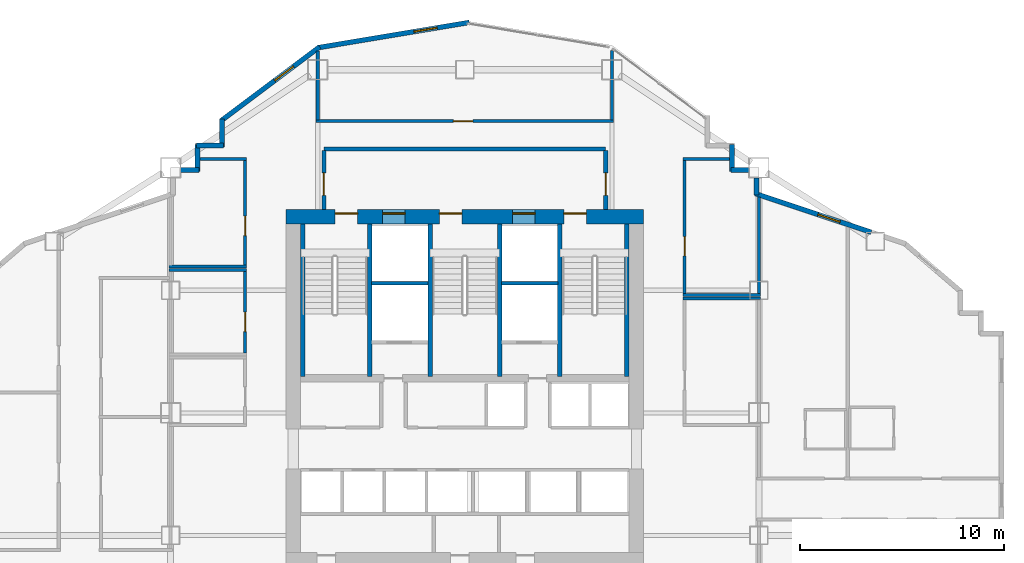
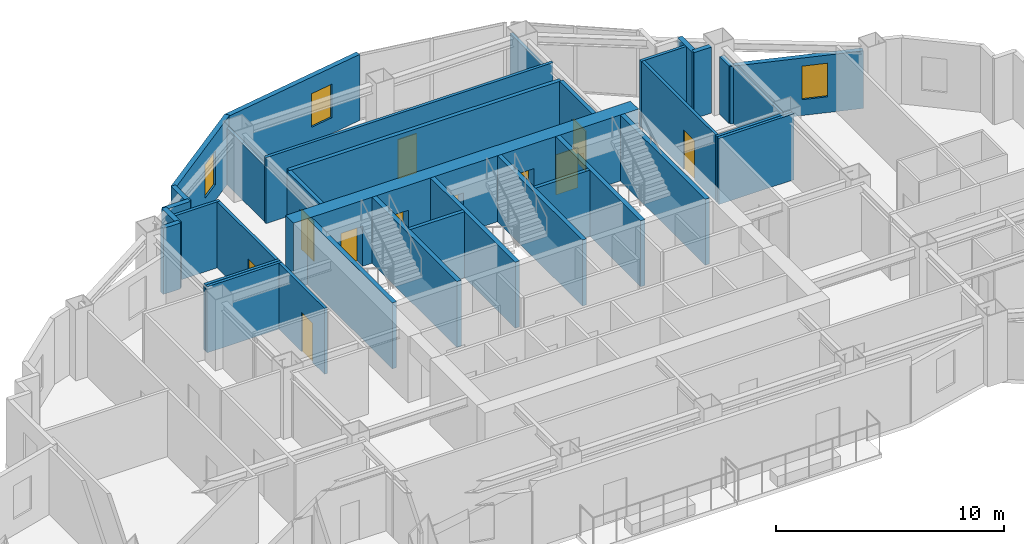
# One storey, part 11 of 14: 35 walls, 11 doors, 3 windows, 14 openings.
"""IFC4 building model written with IfcOpenShell, lengths in metres."""

from ifc_helpers import new_model, si_unit, direction, frame, frame_2d, origin, place, context, subcontext, project, spatial, rectangle, extrude, material, layer, layer_set, type_object, element, fill, save


model = new_model("IFC4")

# Units and contexts
model_context = context("Model", 3, precision=1e-05, world=origin(), true_north=direction((0.0, 1.0)))
body_context = subcontext(model_context, "Body", "Model", "MODEL_VIEW")
ifc_project = project(units=[si_unit("LENGTHUNIT", "METRE"), si_unit("AREAUNIT", "SQUARE_METRE"), si_unit("VOLUMEUNIT", "CUBIC_METRE"), si_unit("PLANEANGLEUNIT", "RADIAN"), si_unit("MASSUNIT", "GRAM", prefix="KILO")], contexts=[model_context])

# Site, building, storey
site_placement = place(None, origin())
site = spatial("IfcSite", under=ifc_project, at=site_placement, CompositionType="ELEMENT")
building_placement = place(site_placement, origin())
building = spatial("IfcBuilding", under=site, at=building_placement, Name="Haolan Belvedere Tower", CompositionType="ELEMENT")
storey_placement = place(building_placement, frame((0.0, 0.0, 132.60009765625)))
storey = spatial("IfcBuildingStorey", under=building, at=storey_placement, Name="L33", CompositionType="ELEMENT", Elevation=132.60009765625)

# Wall, openings, doors
ifc_material_1 = material(Name="Concrete C60/75", Category="concrete")
ifc_layer_1 = layer(ifc_material_1, 0.699951171875, Name="Concrete C60/75")
ifc_layer_set_1 = layer_set([ifc_layer_1], Name="Concrete C60/75")
wall_type_1 = type_object("IfcWallType", Name="WL-CORE-700", PredefinedType="SHEAR", material=ifc_layer_set_1)
wall_1_placement = place(storey_placement, frame((29.64990234375, 43.199951171875, 0.0), z_axis=(0.0, 0.0, 1.0), x_axis=(1.0, 0.0, 0.0)))
wall_1 = element("IfcWall", 1, at=wall_1_placement, inside=storey, type_object=wall_type_1, Name="L33 central core north shear wall", PredefinedType="SHEAR", context=body_context, shape_type="SweptSolid", body=[
    extrude(rectangle(XDim=17.5, YDim=0.699951171875, at=frame_2d((8.75, 0.0))), origin(), (0.0, 0.0, 1.0), 3.539794921875),
])
opening_1_placement = place(wall_1_placement, frame((2.39990234375, 0.0, 0.0)))
opening_1 = element("IfcOpeningElement", 2, at=opening_1_placement, cuts=wall_1, Name="Opening FD-03", PredefinedType="OPENING", context=body_context, shape_type="SweptSolid", body=[
    extrude(rectangle(XDim=1.10009765625, YDim=2.14990234375, at=frame_2d((0.550048828125, 1.074951171875))), frame((0.0, 0.35986328125, 0.0), z_axis=(0.0, -1.0, 0.0), x_axis=(1.0, 0.0, 0.0)), (0.0, 0.0, 1.0), 0.719970703125),
])
opening_2_placement = place(wall_1_placement, frame((7.510009765625, 0.0, 0.0)))
opening_2 = element("IfcOpeningElement", 3, at=opening_2_placement, cuts=wall_1, Name="Opening FD-03", PredefinedType="OPENING", context=body_context, shape_type="SweptSolid", body=[
    extrude(rectangle(XDim=1.10009765625, YDim=2.14990234375, at=frame_2d((0.550048828125, 1.074951171875))), frame((0.0, 0.35986328125, 0.0), z_axis=(0.0, -1.0, 0.0), x_axis=(1.0, 0.0, 0.0)), (0.0, 0.0, 1.0), 0.719970703125),
])
opening_3_placement = place(wall_1_placement, frame((13.60009765625, 0.0, 0.0)))
opening_3 = element("IfcOpeningElement", 4, at=opening_3_placement, cuts=wall_1, Name="Opening FD-03", PredefinedType="OPENING", context=body_context, shape_type="SweptSolid", body=[
    extrude(rectangle(XDim=1.10009765625, YDim=2.14990234375, at=frame_2d((0.550048828125, 1.074951171875))), frame((0.0, 0.35986328125, 0.0), z_axis=(0.0, -1.0, 0.0), x_axis=(1.0, 0.0, 0.0)), (0.0, 0.0, 1.0), 0.719970703125),
])
opening_4_placement = place(wall_1_placement, frame((4.72998046875, 0.0, 0.0)))
opening_4 = element("IfcOpeningElement", 5, at=opening_4_placement, cuts=wall_1, Name="Opening LD-01", PredefinedType="OPENING", context=body_context, shape_type="SweptSolid", body=[
    extrude(rectangle(XDim=1.10009765625, YDim=2.199951171875, at=frame_2d((0.550048828125, 1.10009765625))), frame((0.0, 0.35986328125, 0.0), z_axis=(0.0, -1.0, 0.0), x_axis=(1.0, 0.0, 0.0)), (0.0, 0.0, 1.0), 0.719970703125),
])
opening_5_placement = place(wall_1_placement, frame((11.090087890625, 0.0, 0.0)))
opening_5 = element("IfcOpeningElement", 6, at=opening_5_placement, cuts=wall_1, Name="Opening LD-01", PredefinedType="OPENING", context=body_context, shape_type="SweptSolid", body=[
    extrude(rectangle(XDim=1.10009765625, YDim=2.199951171875, at=frame_2d((0.550048828125, 1.10009765625))), frame((0.0, 0.35986328125, 0.0), z_axis=(0.0, -1.0, 0.0), x_axis=(1.0, 0.0, 0.0)), (0.0, 0.0, 1.0), 0.719970703125),
])
ifc_material_2 = material(Name="Galvanised fire-rated steel", Category="steel")
door_type_1 = type_object("IfcDoorType", Name="DR-FD90-1100", OperationType="NOTDEFINED", PredefinedType="DOOR", material=ifc_material_2)
door_1_placement = place(opening_1_placement, origin())
door_1 = element("IfcDoor", 7, at=door_1_placement, inside=storey, type_object=door_type_1, Name="L33 door CD-L33-ST1", OperationType="SINGLE_SWING_LEFT", OverallHeight=2.14990234375, OverallWidth=1.10009765625, PredefinedType="DOOR", context=body_context, shape_type="SweptSolid", body=[
    extrude(rectangle(XDim=1.10009765625, YDim=2.14990234375, at=frame_2d((0.550048828125, 1.074951171875))), frame((0.0, 0.18505859375, 0.0), z_axis=(0.0, -1.0, 0.0), x_axis=(1.0, 0.0, 0.0)), (0.0, 0.0, 1.0), 0.050048828125),
])
fill(opening_1, door_1)
door_2_placement = place(opening_2_placement, origin())
door_2 = element("IfcDoor", 8, at=door_2_placement, inside=storey, type_object=door_type_1, Name="L33 door CD-L33-ST3", OperationType="SINGLE_SWING_LEFT", OverallHeight=2.14990234375, OverallWidth=1.10009765625, PredefinedType="DOOR", context=body_context, shape_type="SweptSolid", body=[
    extrude(rectangle(XDim=1.10009765625, YDim=2.14990234375, at=frame_2d((0.550048828125, 1.074951171875))), frame((0.0, 0.18505859375, 0.0), z_axis=(0.0, -1.0, 0.0), x_axis=(1.0, 0.0, 0.0)), (0.0, 0.0, 1.0), 0.050048828125),
])
fill(opening_2, door_2)
door_3_placement = place(opening_3_placement, origin())
door_3 = element("IfcDoor", 9, at=door_3_placement, inside=storey, type_object=door_type_1, Name="L33 door CD-L33-ST2", OperationType="SINGLE_SWING_RIGHT", OverallHeight=2.14990234375, OverallWidth=1.10009765625, PredefinedType="DOOR", context=body_context, shape_type="SweptSolid", body=[
    extrude(rectangle(XDim=1.10009765625, YDim=2.14990234375, at=frame_2d((0.550048828125, 1.074951171875))), frame((0.0, 0.18505859375, 0.0), z_axis=(0.0, -1.0, 0.0), x_axis=(1.0, 0.0, 0.0)), (0.0, 0.0, 1.0), 0.050048828125),
])
fill(opening_3, door_3)
ifc_material_3 = material(Name="Brushed champagne stainless steel 316L", Category="steel")
door_type_2 = type_object("IfcDoorType", Name="DR-LIFT-1100", OperationType="SLIDING_TO_LEFT", PredefinedType="DOOR", material=ifc_material_3)
door_4_placement = place(opening_4_placement, origin())
door_4 = element("IfcDoor", 10, at=door_4_placement, inside=storey, type_object=door_type_2, Name="L33 door LD-L33-FF1", OperationType="SLIDING_TO_LEFT", OverallHeight=2.199951171875, OverallWidth=1.10009765625, PredefinedType="DOOR", context=body_context, shape_type="SweptSolid", body=[
    extrude(rectangle(XDim=1.10009765625, YDim=2.199951171875, at=frame_2d((0.550048828125, 1.10009765625))), frame((0.0, 0.18505859375, 0.0), z_axis=(0.0, -1.0, 0.0), x_axis=(1.0, 0.0, 0.0)), (0.0, 0.0, 1.0), 0.050048828125),
])
fill(opening_4, door_4)
door_5_placement = place(opening_5_placement, origin())
door_5 = element("IfcDoor", 11, at=door_5_placement, inside=storey, type_object=door_type_2, Name="L33 door LD-L33-FF2", OperationType="SLIDING_TO_LEFT", OverallHeight=2.199951171875, OverallWidth=1.10009765625, PredefinedType="DOOR", context=body_context, shape_type="SweptSolid", body=[
    extrude(rectangle(XDim=1.10009765625, YDim=2.199951171875, at=frame_2d((0.550048828125, 1.10009765625))), frame((0.0, 0.18505859375, 0.0), z_axis=(0.0, -1.0, 0.0), x_axis=(1.0, 0.0, 0.0)), (0.0, 0.0, 1.0), 0.050048828125),
])
fill(opening_5, door_5)

# Wall, opening, window
ifc_material_4 = material(Name="Precast concrete C40/50", Category="concrete")
ifc_layer_2 = layer(ifc_material_4, 0.239990234375, Name="Precast concrete C40/50")
ifc_layer_set_2 = layer_set([ifc_layer_2], Name="Precast concrete C40/50")
wall_type_2 = type_object("IfcWallType", Name="WL-EXT-240", PredefinedType="SOLIDWALL", material=ifc_layer_set_2)
wall_2_placement = place(storey_placement, frame((58.294677734375, 42.44189453125, 0.0), z_axis=(0.0, 0.0, 1.0), x_axis=(-0.948687385027, 0.316215504823, 0.0)))
wall_2 = element("IfcWall", 12, at=wall_2_placement, inside=storey, type_object=wall_type_2, Name="L33 pale-metal exterior spandrel wall 20.2", PredefinedType="SOLIDWALL", context=body_context, shape_type="SweptSolid", body=[
    extrude(rectangle(XDim=5.973388671875, YDim=0.239990234375, at=frame_2d((2.98681640625, 0.0))), origin(), (0.0, 0.0, 1.0), 3.0849609375),
])
opening_6_placement = place(wall_2_placement, frame((1.60009765625, 0.0, 0.85009765625)))
opening_6 = element("IfcOpeningElement", 13, at=opening_6_placement, cuts=wall_2, Name="Opening W-02", PredefinedType="OPENING", context=body_context, shape_type="SweptSolid", body=[
    extrude(rectangle(XDim=1.14990234375, YDim=1.800048828125, at=frame_2d((0.574951171875, 0.89990234375))), frame((0.0, 0.1298828125, 0.0), z_axis=(0.0, -1.0, 0.0), x_axis=(1.0, 0.0, 0.0)), (0.0, 0.0, 1.0), 0.260009765625),
])
ifc_material_5 = material(Name="Anodised aluminium 6063-T6 and Low-E glass", Category="aluminium")
window_type = type_object("IfcWindowType", Name="WN-DECO-Z2", PartitioningType="SINGLE_PANEL", PredefinedType="WINDOW", material=ifc_material_5)
window_1_placement = place(opening_6_placement, origin())
window_1 = element("IfcWindow", 14, at=window_1_placement, inside=storey, type_object=window_type, Name="L33 Art Deco chevron window 1", OverallHeight=1.800048828125, OverallWidth=1.14990234375, PartitioningType="SINGLE_PANEL", PredefinedType="WINDOW", context=body_context, shape_type="SweptSolid", body=[
    extrude(rectangle(XDim=1.14990234375, YDim=1.800048828125, at=frame_2d((0.574951171875, 0.89990234375))), frame((0.0, 0.030029296875, 0.0), z_axis=(0.0, -1.0, 0.0), x_axis=(1.0, 0.0, 0.0)), (0.0, 0.0, 1.0), 0.06005859375),
])
fill(opening_6, window_1)

# Walls
wall_3_placement = place(storey_placement, frame((52.679931640625, 44.258544921875, 0.0), z_axis=(0.0, 0.0, 1.0), x_axis=(0.0, 1.0, 0.0)))
element("IfcWall", 15, at=wall_3_placement, inside=storey, type_object=wall_type_2, Name="L33 pale-metal exterior spandrel wall 21.1", PredefinedType="SOLIDWALL", context=body_context, shape_type="SweptSolid", body=[
    extrude(rectangle(XDim=0.849365234375, YDim=0.239990234375, at=frame_2d((0.4248046875, 0.0))), origin(), (0.0, 0.0, 1.0), 3.0849609375),
])
wall_4_placement = place(storey_placement, frame((52.30810546875, 45.47998046875, 0.0), z_axis=(0.0, 0.0, 1.0), x_axis=(-1.0, 0.0, 0.0)))
element("IfcWall", 16, at=wall_4_placement, inside=storey, type_object=wall_type_2, Name="L33 pale-metal exterior spandrel wall 22.1", PredefinedType="SOLIDWALL", context=body_context, shape_type="SweptSolid", body=[
    extrude(rectangle(XDim=0.883056640625, YDim=0.239990234375, at=frame_2d((0.44140625, 0.0))), origin(), (0.0, 0.0, 1.0), 3.539794921875),
])
wall_5_placement = place(storey_placement, frame((51.47998046875, 45.425048828125, 0.0), z_axis=(0.0, 0.0, 1.0), x_axis=(0.0, 1.0, 0.0)))
element("IfcWall", 17, at=wall_5_placement, inside=storey, type_object=wall_type_2, Name="L33 pale-metal exterior spandrel wall 23.1", PredefinedType="SOLIDWALL", context=body_context, shape_type="SweptSolid", body=[
    extrude(rectangle(XDim=1.31005859375, YDim=0.239990234375, at=frame_2d((0.655029296875, 0.0))), origin(), (0.0, 0.0, 1.0), 3.539794921875),
])

# Wall, opening, window
wall_6_placement = place(storey_placement, frame((38.621826171875, 52.71533203125, 0.0), z_axis=(0.0, 0.0, 1.0), x_axis=(-0.98639129485, -0.164414760418, 0.0)))
wall_6 = element("IfcWall", 18, at=wall_6_placement, inside=storey, type_object=wall_type_2, Name="L33 pale-metal exterior spandrel wall 28.1", PredefinedType="SOLIDWALL", context=body_context, shape_type="SweptSolid", body=[
    extrude(rectangle(XDim=7.530029296875, YDim=0.239990234375, at=frame_2d((3.76513671875, 0.0))), origin(), (0.0, 0.0, 1.0), 3.539794921875),
])
opening_7_placement = place(wall_6_placement, frame((1.60009765625, 0.0, 0.85009765625)))
opening_7 = element("IfcOpeningElement", 19, at=opening_7_placement, cuts=wall_6, Name="Opening W-02", PredefinedType="OPENING", context=body_context, shape_type="SweptSolid", body=[
    extrude(rectangle(XDim=1.14990234375, YDim=1.800048828125, at=frame_2d((0.574951171875, 0.89990234375))), frame((0.0, 0.1298828125, 0.0), z_axis=(0.0, -1.0, 0.0), x_axis=(1.0, 0.0, 0.0)), (0.0, 0.0, 1.0), 0.260009765625),
])
window_2_placement = place(opening_7_placement, origin())
window_2 = element("IfcWindow", 20, at=window_2_placement, inside=storey, type_object=window_type, Name="L33 Art Deco chevron window 1", OverallHeight=1.800048828125, OverallWidth=1.14990234375, PartitioningType="SINGLE_PANEL", PredefinedType="WINDOW", context=body_context, shape_type="SweptSolid", body=[
    extrude(rectangle(XDim=1.14990234375, YDim=1.800048828125, at=frame_2d((0.574951171875, 0.89990234375))), frame((0.0, 0.030029296875, 0.0), z_axis=(0.0, -1.0, 0.0), x_axis=(1.0, 0.0, 0.0)), (0.0, 0.0, 1.0), 0.06005859375),
])
fill(opening_7, window_2)

wall_7_placement = place(storey_placement, frame((31.29248046875, 51.519287109375, 0.0), z_axis=(0.0, 0.0, 1.0), x_axis=(-0.8, -0.6, 0.0)))
wall_7 = element("IfcWall", 21, at=wall_7_placement, inside=storey, type_object=wall_type_2, Name="L33 pale-metal exterior spandrel wall 29.1", PredefinedType="SOLIDWALL", context=body_context, shape_type="SweptSolid", body=[
    extrude(rectangle(XDim=6.0205078125, YDim=0.239990234375, at=frame_2d((3.01025390625, 0.0))), origin(), (0.0, 0.0, 1.0), 3.539794921875),
])
opening_8_placement = place(wall_7_placement, frame((1.60009765625, 0.0, 0.85009765625)))
opening_8 = element("IfcOpeningElement", 22, at=opening_8_placement, cuts=wall_7, Name="Opening W-02", PredefinedType="OPENING", context=body_context, shape_type="SweptSolid", body=[
    extrude(rectangle(XDim=1.14990234375, YDim=1.800048828125, at=frame_2d((0.574951171875, 0.89990234375))), frame((0.0, 0.1298828125, 0.0), z_axis=(0.0, -1.0, 0.0), x_axis=(1.0, 0.0, 0.0)), (0.0, 0.0, 1.0), 0.260009765625),
])
window_3_placement = place(opening_8_placement, origin())
window_3 = element("IfcWindow", 23, at=window_3_placement, inside=storey, type_object=window_type, Name="L33 Art Deco chevron window 1", OverallHeight=1.800048828125, OverallWidth=1.14990234375, PartitioningType="SINGLE_PANEL", PredefinedType="WINDOW", context=body_context, shape_type="SweptSolid", body=[
    extrude(rectangle(XDim=1.14990234375, YDim=1.800048828125, at=frame_2d((0.574951171875, 0.89990234375))), frame((0.0, 0.030029296875, 0.0), z_axis=(0.0, -1.0, 0.0), x_axis=(1.0, 0.0, 0.0)), (0.0, 0.0, 1.0), 0.06005859375),
])
fill(opening_8, window_3)

# Walls
wall_8_placement = place(storey_placement, frame((26.52001953125, 47.9951171875, 0.0), z_axis=(0.0, 0.0, 1.0), x_axis=(0.0, -1.0, 0.0)))
element("IfcWall", 24, at=wall_8_placement, inside=storey, type_object=wall_type_2, Name="L33 pale-metal exterior spandrel wall 30.1", PredefinedType="SOLIDWALL", context=body_context, shape_type="SweptSolid", body=[
    extrude(rectangle(XDim=1.3701171875, YDim=0.239990234375, at=frame_2d((0.68505859375, 0.0))), origin(), (0.0, 0.0, 1.0), 3.539794921875),
])
for number, where, z_axis, x_axis, name in (
    (25, (26.574951171875, 46.679931640625, 0.0), (0.0, 0.0, 1.0), (-1.0, 0.0, 0.0), "L33 pale-metal exterior spandrel wall 31.1"),
    (26, (25.320068359375, 46.735107421875, 0.0), (0.0, 0.0, 1.0), (0.0, -1.0, 0.0), "L33 pale-metal exterior spandrel wall 32.1"),
):
    element("IfcWall", number, at=place(storey_placement, frame(where, z_axis=z_axis, x_axis=x_axis)), inside=storey, type_object=wall_type_2, Name=name, PredefinedType="SOLIDWALL", context=body_context, shape_type="SweptSolid", body=[
        extrude(rectangle(XDim=1.31005859375, YDim=0.239990234375, at=frame_2d((0.655029296875, 0.0))), origin(), (0.0, 0.0, 1.0), 3.539794921875),
    ])
wall_9_placement = place(storey_placement, frame((25.375, 45.47998046875, 0.0), z_axis=(0.0, 0.0, 1.0), x_axis=(-1.0, 0.0, 0.0)))
element("IfcWall", 27, at=wall_9_placement, inside=storey, type_object=wall_type_2, Name="L33 pale-metal exterior spandrel wall 33.1", PredefinedType="SOLIDWALL", context=body_context, shape_type="SweptSolid", body=[
    extrude(rectangle(XDim=0.883056640625, YDim=0.239990234375, at=frame_2d((0.44140625, 0.0))), origin(), (0.0, 0.0, 1.0), 3.539794921875),
])
ifc_material_6 = material(Name="Concrete C40/50", Category="concrete")
ifc_layer_3 = layer(ifc_material_6, 0.199951171875, Name="Concrete C40/50")
ifc_layer_set_3 = layer_set([ifc_layer_3], Name="Concrete C40/50")
wall_type_3 = type_object("IfcWallType", Name="WL-FIRE-200", PredefinedType="SOLIDWALL", material=ifc_layer_set_3)
wall_10_placement = place(storey_placement, frame((31.5, 46.52001953125, 0.0), z_axis=(0.0, 0.0, 1.0), x_axis=(1.0, 0.0, 0.0)))
element("IfcWall", 28, at=wall_10_placement, inside=storey, type_object=wall_type_3, Name="L33 interior partition IW-L33-FFL-N", PredefinedType="SOLIDWALL", context=body_context, shape_type="SweptSolid", body=[
    extrude(rectangle(XDim=13.800048828125, YDim=0.199951171875, at=frame_2d((6.89990234375, 0.0))), origin(), (0.0, 0.0, 1.0), 3.539794921875),
])

# Wall, opening, door
wall_11_placement = place(storey_placement, frame((31.5, 43.550048828125, 0.0), z_axis=(0.0, 0.0, 1.0), x_axis=(0.0, 1.0, 0.0)))
wall_11 = element("IfcWall", 29, at=wall_11_placement, inside=storey, type_object=wall_type_3, Name="L33 interior partition IW-L33-FFL-W", PredefinedType="SOLIDWALL", context=body_context, shape_type="SweptSolid", body=[
    extrude(rectangle(XDim=2.885009765625, YDim=0.199951171875, at=frame_2d((1.4423828125, 0.0))), origin(), (0.0, 0.0, 1.0), 3.539794921875),
])
opening_9_placement = place(wall_11_placement, frame((1.800048828125, 0.0, 0.0), z_axis=(0.0, 0.0, 1.0), x_axis=(-1.0, 0.0, 0.0)))
opening_9 = element("IfcOpeningElement", 30, at=opening_9_placement, cuts=wall_11, Name="Opening FD-03", PredefinedType="OPENING", context=body_context, shape_type="SweptSolid", body=[
    extrude(rectangle(XDim=1.10009765625, YDim=2.14990234375, at=frame_2d((0.550048828125, 1.074951171875))), frame((0.0, 0.10986328125, 0.0), z_axis=(0.0, -1.0, 0.0), x_axis=(1.0, 0.0, 0.0)), (0.0, 0.0, 1.0), 0.219970703125),
])
door_6_placement = place(opening_9_placement, origin())
door_6 = element("IfcDoor", 31, at=door_6_placement, inside=storey, type_object=door_type_1, Name="L33 door ID-L33-FFL-DW", OperationType="SINGLE_SWING_LEFT", OverallHeight=2.14990234375, OverallWidth=1.10009765625, PredefinedType="DOOR", context=body_context, shape_type="SweptSolid", body=[
    extrude(rectangle(XDim=1.10009765625, YDim=2.14990234375, at=frame_2d((0.550048828125, 1.074951171875))), frame((0.0, 0.02490234375, 0.0), z_axis=(0.0, -1.0, 0.0), x_axis=(1.0, 0.0, 0.0)), (0.0, 0.0, 1.0), 0.050048828125),
])
fill(opening_9, door_6)

wall_12_placement = place(storey_placement, frame((45.300048828125, 43.550048828125, 0.0), z_axis=(0.0, 0.0, 1.0), x_axis=(0.0, 1.0, 0.0)))
wall_12 = element("IfcWall", 32, at=wall_12_placement, inside=storey, type_object=wall_type_3, Name="L33 interior partition IW-L33-FFL-E", PredefinedType="SOLIDWALL", context=body_context, shape_type="SweptSolid", body=[
    extrude(rectangle(XDim=2.885009765625, YDim=0.199951171875, at=frame_2d((1.4423828125, 0.0))), origin(), (0.0, 0.0, 1.0), 3.539794921875),
])
opening_10_placement = place(wall_12_placement, frame((0.699951171875, 0.0, 0.0)))
opening_10 = element("IfcOpeningElement", 33, at=opening_10_placement, cuts=wall_12, Name="Opening FD-03", PredefinedType="OPENING", context=body_context, shape_type="SweptSolid", body=[
    extrude(rectangle(XDim=1.10009765625, YDim=2.14990234375, at=frame_2d((0.550048828125, 1.074951171875))), frame((0.0, 0.10986328125, 0.0), z_axis=(0.0, -1.0, 0.0), x_axis=(1.0, 0.0, 0.0)), (0.0, 0.0, 1.0), 0.219970703125),
])
door_7_placement = place(opening_10_placement, origin())
door_7 = element("IfcDoor", 34, at=door_7_placement, inside=storey, type_object=door_type_1, Name="L33 door ID-L33-FFL-DE", OperationType="SINGLE_SWING_RIGHT", OverallHeight=2.14990234375, OverallWidth=1.10009765625, PredefinedType="DOOR", context=body_context, shape_type="SweptSolid", body=[
    extrude(rectangle(XDim=1.10009765625, YDim=2.14990234375, at=frame_2d((0.550048828125, 1.074951171875))), frame((0.0, 0.02490234375, 0.0), z_axis=(0.0, -1.0, 0.0), x_axis=(1.0, 0.0, 0.0)), (0.0, 0.0, 1.0), 0.050048828125),
])
fill(opening_10, door_7)

# Wall
ifc_material_7 = material(Name="Double gypsum acoustic stud partition", Category="masonry")
ifc_layer_4 = layer(ifc_material_7, 0.14990234375, Name="Double gypsum acoustic stud partition")
ifc_layer_set_4 = layer_set([ifc_layer_4], Name="Double gypsum acoustic stud partition")
wall_type_4 = type_object("IfcWallType", Name="WL-PART-150", PredefinedType="PARTITIONING", material=ifc_layer_set_4)
wall_13_placement = place(storey_placement, frame((23.919921875, 40.60009765625, 0.0), z_axis=(0.0, 0.0, 1.0), x_axis=(1.0, 0.0, 0.0)))
element("IfcWall", 35, at=wall_13_placement, inside=storey, type_object=wall_type_4, Name="L33 interior partition IW-L33-PNT-N", PredefinedType="PARTITIONING", context=body_context, shape_type="SweptSolid", body=[
    extrude(rectangle(XDim=3.800048828125, YDim=0.14990234375, at=frame_2d((1.89990234375, 0.0))), origin(), (0.0, 0.0, 1.0), 3.539794921875),
])

# Wall, opening, door
wall_14_placement = place(storey_placement, frame((27.639892578125, 36.52001953125, 0.0), z_axis=(0.0, 0.0, 1.0), x_axis=(0.0, 1.0, 0.0)))
wall_14 = element("IfcWall", 36, at=wall_14_placement, inside=storey, type_object=wall_type_4, Name="L33 interior partition IW-L33-PNT-E", PredefinedType="PARTITIONING", context=body_context, shape_type="SweptSolid", body=[
    extrude(rectangle(XDim=4.02001953125, YDim=0.14990234375, at=frame_2d((2.010009765625, 0.0))), origin(), (0.0, 0.0, 1.0), 3.539794921875),
])
opening_11_placement = place(wall_14_placement, frame((2.010009765625, 0.0, 0.0), z_axis=(0.0, 0.0, 1.0), x_axis=(-1.0, 0.0, 0.0)))
opening_11 = element("IfcOpeningElement", 37, at=opening_11_placement, cuts=wall_14, Name="Opening ID-03", PredefinedType="OPENING", context=body_context, shape_type="SweptSolid", body=[
    extrude(rectangle(XDim=0.949951171875, YDim=2.1201171875, at=frame_2d((0.47509765625, 1.06005859375))), frame((0.0, 0.0849609375, 0.0), z_axis=(0.0, -1.0, 0.0), x_axis=(1.0, 0.0, 0.0)), (0.0, 0.0, 1.0), 0.169921875),
])
ifc_material_8 = material(Name="Painted solid-core timber", Category="wood")
door_type_3 = type_object("IfcDoorType", Name="DR-INT-950", OperationType="NOTDEFINED", PredefinedType="DOOR", material=ifc_material_8)
door_8_placement = place(opening_11_placement, origin())
door_8 = element("IfcDoor", 38, at=door_8_placement, inside=storey, type_object=door_type_3, Name="L33 door ID-L33-PNT", OperationType="SINGLE_SWING_RIGHT", OverallHeight=2.1201171875, OverallWidth=0.949951171875, PredefinedType="DOOR", context=body_context, shape_type="SweptSolid", body=[
    extrude(rectangle(XDim=0.949951171875, YDim=2.1201171875, at=frame_2d((0.47509765625, 1.06005859375))), frame((0.0, 0.02490234375, 0.0), z_axis=(0.0, -1.0, 0.0), x_axis=(1.0, 0.0, 0.0)), (0.0, 0.0, 1.0), 0.050048828125),
])
fill(opening_11, door_8)

# Walls
wall_15_placement = place(storey_placement, frame((25.425048828125, 46.02001953125, 0.0), z_axis=(0.0, 0.0, 1.0), x_axis=(1.0, 0.0, 0.0)))
element("IfcWall", 39, at=wall_15_placement, inside=storey, type_object=wall_type_4, Name="L33 interior partition IW-L33-STY-N", PredefinedType="PARTITIONING", context=body_context, shape_type="SweptSolid", body=[
    extrude(rectangle(XDim=2.294921875, YDim=0.14990234375, at=frame_2d((1.1474609375, 0.0))), origin(), (0.0, 0.0, 1.0), 3.539794921875),
])
wall_16_placement = place(storey_placement, frame((23.919921875, 40.760009765625, 0.0), z_axis=(0.0, 0.0, 1.0), x_axis=(1.0, 0.0, 0.0)))
element("IfcWall", 40, at=wall_16_placement, inside=storey, type_object=wall_type_4, Name="L33 interior partition IW-L33-STY-S", PredefinedType="PARTITIONING", context=body_context, shape_type="SweptSolid", body=[
    extrude(rectangle(XDim=3.800048828125, YDim=0.14990234375, at=frame_2d((1.89990234375, 0.0))), origin(), (0.0, 0.0, 1.0), 3.539794921875),
])

# Wall, opening, door
wall_17_placement = place(storey_placement, frame((27.639892578125, 40.820068359375, 0.0), z_axis=(0.0, 0.0, 1.0), x_axis=(0.0, 1.0, 0.0)))
wall_17 = element("IfcWall", 41, at=wall_17_placement, inside=storey, type_object=wall_type_4, Name="L33 interior partition IW-L33-STY-E", PredefinedType="PARTITIONING", context=body_context, shape_type="SweptSolid", body=[
    extrude(rectangle(XDim=5.139892578125, YDim=0.14990234375, at=frame_2d((2.56982421875, 0.0))), origin(), (0.0, 0.0, 1.0), 3.539794921875),
])
opening_12_placement = place(wall_17_placement, frame((2.409912109375, 0.0, 0.0), z_axis=(0.0, 0.0, 1.0), x_axis=(-1.0, 0.0, 0.0)))
opening_12 = element("IfcOpeningElement", 42, at=opening_12_placement, cuts=wall_17, Name="Opening ID-03", PredefinedType="OPENING", context=body_context, shape_type="SweptSolid", body=[
    extrude(rectangle(XDim=0.949951171875, YDim=2.1201171875, at=frame_2d((0.47509765625, 1.06005859375))), frame((0.0, 0.0849609375, 0.0), z_axis=(0.0, -1.0, 0.0), x_axis=(1.0, 0.0, 0.0)), (0.0, 0.0, 1.0), 0.169921875),
])
door_9_placement = place(opening_12_placement, origin())
door_9 = element("IfcDoor", 43, at=door_9_placement, inside=storey, type_object=door_type_3, Name="L33 door ID-L33-STY", OperationType="SINGLE_SWING_LEFT", OverallHeight=2.1201171875, OverallWidth=0.949951171875, PredefinedType="DOOR", context=body_context, shape_type="SweptSolid", body=[
    extrude(rectangle(XDim=0.949951171875, YDim=2.1201171875, at=frame_2d((0.47509765625, 1.06005859375))), frame((0.0, 0.02490234375, 0.0), z_axis=(0.0, -1.0, 0.0), x_axis=(1.0, 0.0, 0.0)), (0.0, 0.0, 1.0), 0.050048828125),
])
fill(opening_12, door_9)

# Walls
wall_18_placement = place(storey_placement, frame((49.080078125, 39.199951171875, 0.0), z_axis=(0.0, 0.0, 1.0), x_axis=(1.0, 0.0, 0.0)))
element("IfcWall", 44, at=wall_18_placement, inside=storey, type_object=wall_type_4, Name="L33 interior partition IW-L33-HSK-N", PredefinedType="PARTITIONING", context=body_context, shape_type="SweptSolid", body=[
    extrude(rectangle(XDim=3.7998046875, YDim=0.14990234375, at=frame_2d((1.89990234375, 0.0))), origin(), (0.0, 0.0, 1.0), 3.539794921875),
])
wall_19_placement = place(storey_placement, frame((49.080078125, 46.02001953125, 0.0), z_axis=(0.0, 0.0, 1.0), x_axis=(1.0, 0.0, 0.0)))
element("IfcWall", 45, at=wall_19_placement, inside=storey, type_object=wall_type_4, Name="L33 interior partition IW-L33-MTG-N", PredefinedType="PARTITIONING", context=body_context, shape_type="SweptSolid", body=[
    extrude(rectangle(XDim=2.294921875, YDim=0.14990234375, at=frame_2d((1.1474609375, 0.0))), origin(), (0.0, 0.0, 1.0), 3.539794921875),
])
wall_20_placement = place(storey_placement, frame((49.080078125, 39.360107421875, 0.0), z_axis=(0.0, 0.0, 1.0), x_axis=(1.0, 0.0, 0.0)))
element("IfcWall", 46, at=wall_20_placement, inside=storey, type_object=wall_type_4, Name="L33 interior partition IW-L33-MTG-S", PredefinedType="PARTITIONING", context=body_context, shape_type="SweptSolid", body=[
    extrude(rectangle(XDim=3.7998046875, YDim=0.14990234375, at=frame_2d((1.89990234375, 0.0))), origin(), (0.0, 0.0, 1.0), 3.539794921875),
])

# Wall, opening, door
wall_21_placement = place(storey_placement, frame((49.159912109375, 39.419921875, 0.0), z_axis=(0.0, 0.0, 1.0), x_axis=(0.0, 1.0, 0.0)))
wall_21 = element("IfcWall", 47, at=wall_21_placement, inside=storey, type_object=wall_type_4, Name="L33 interior partition IW-L33-MTG-W", PredefinedType="PARTITIONING", context=body_context, shape_type="SweptSolid", body=[
    extrude(rectangle(XDim=6.5400390625, YDim=0.14990234375, at=frame_2d((3.27001953125, 0.0))), origin(), (0.0, 0.0, 1.0), 3.539794921875),
])
opening_13_placement = place(wall_21_placement, frame((1.860107421875, 0.0, 0.0)))
opening_13 = element("IfcOpeningElement", 48, at=opening_13_placement, cuts=wall_21, Name="Opening ID-03", PredefinedType="OPENING", context=body_context, shape_type="SweptSolid", body=[
    extrude(rectangle(XDim=0.949951171875, YDim=2.1201171875, at=frame_2d((0.47509765625, 1.06005859375))), frame((0.0, 0.0849609375, 0.0), z_axis=(0.0, -1.0, 0.0), x_axis=(1.0, 0.0, 0.0)), (0.0, 0.0, 1.0), 0.169921875),
])
door_10_placement = place(opening_13_placement, origin())
door_10 = element("IfcDoor", 49, at=door_10_placement, inside=storey, type_object=door_type_3, Name="L33 door ID-L33-MTG", OperationType="SINGLE_SWING_LEFT", OverallHeight=2.1201171875, OverallWidth=0.949951171875, PredefinedType="DOOR", context=body_context, shape_type="SweptSolid", body=[
    extrude(rectangle(XDim=0.949951171875, YDim=2.1201171875, at=frame_2d((0.47509765625, 1.06005859375))), frame((0.0, 0.02490234375, 0.0), z_axis=(0.0, -1.0, 0.0), x_axis=(1.0, 0.0, 0.0)), (0.0, 0.0, 1.0), 0.050048828125),
])
fill(opening_13, door_10)

# Wall
wall_22_placement = place(storey_placement, frame((52.800048828125, 39.419921875, 0.0), z_axis=(0.0, 0.0, 1.0), x_axis=(0.0, 1.0, 0.0)))
element("IfcWall", 50, at=wall_22_placement, inside=storey, type_object=wall_type_4, Name="L33 interior partition IW-L33-MTG-E", PredefinedType="PARTITIONING", context=body_context, shape_type="SweptSolid", body=[
    extrude(rectangle(XDim=4.742919921875, YDim=0.14990234375, at=frame_2d((2.37158203125, 0.0))), origin(), (0.0, 0.0, 1.0), 3.0849609375),
])

# Wall, opening, door
wall_23_placement = place(storey_placement, frame((31.1201171875, 47.8798828125, 0.0), z_axis=(0.0, 0.0, 1.0), x_axis=(1.0, 0.0, 0.0)))
wall_23 = element("IfcWall", 51, at=wall_23_placement, inside=storey, type_object=wall_type_4, Name="L33 interior partition IW-L33-KN2-S", PredefinedType="PARTITIONING", context=body_context, shape_type="SweptSolid", body=[
    extrude(rectangle(XDim=14.559814453125, YDim=0.14990234375, at=frame_2d((7.27978515625, 0.0))), origin(), (0.0, 0.0, 1.0), 3.539794921875),
])
opening_14_placement = place(wall_23_placement, frame((6.72509765625, 0.0, 0.0)))
opening_14 = element("IfcOpeningElement", 52, at=opening_14_placement, cuts=wall_23, Name="Opening ID-03", PredefinedType="OPENING", context=body_context, shape_type="SweptSolid", body=[
    extrude(rectangle(XDim=0.949951171875, YDim=2.1201171875, at=frame_2d((0.47509765625, 1.06005859375))), frame((0.0, 0.0849609375, 0.0), z_axis=(0.0, -1.0, 0.0), x_axis=(1.0, 0.0, 0.0)), (0.0, 0.0, 1.0), 0.169921875),
])
door_11_placement = place(opening_14_placement, origin())
door_11 = element("IfcDoor", 53, at=door_11_placement, inside=storey, type_object=door_type_3, Name="L33 door ID-L33-KN2", OperationType="SINGLE_SWING_LEFT", OverallHeight=2.1201171875, OverallWidth=0.949951171875, PredefinedType="DOOR", context=body_context, shape_type="SweptSolid", body=[
    extrude(rectangle(XDim=0.949951171875, YDim=2.1201171875, at=frame_2d((0.47509765625, 1.06005859375))), frame((0.0, 0.02490234375, 0.0), z_axis=(0.0, -1.0, 0.0), x_axis=(1.0, 0.0, 0.0)), (0.0, 0.0, 1.0), 0.050048828125),
])
fill(opening_14, door_11)

# Walls
wall_24_placement = place(storey_placement, frame((31.199951171875, 47.93994140625, 0.0), z_axis=(0.0, 0.0, 1.0), x_axis=(0.0, 1.0, 0.0)))
element("IfcWall", 54, at=wall_24_placement, inside=storey, type_object=wall_type_4, Name="L33 interior partition IW-L33-KN2-W", PredefinedType="PARTITIONING", context=body_context, shape_type="SweptSolid", body=[
    extrude(rectangle(XDim=3.378662109375, YDim=0.14990234375, at=frame_2d((1.689453125, 0.0))), origin(), (0.0, 0.0, 1.0), 3.02490234375),
])
wall_25_placement = place(storey_placement, frame((45.60009765625, 47.93994140625, 0.0), z_axis=(0.0, 0.0, 1.0), x_axis=(0.0, 1.0, 0.0)))
element("IfcWall", 55, at=wall_25_placement, inside=storey, type_object=wall_type_4, Name="L33 interior partition IW-L33-KN2-E", PredefinedType="PARTITIONING", context=body_context, shape_type="SweptSolid", body=[
    extrude(rectangle(XDim=3.39501953125, YDim=0.14990234375, at=frame_2d((1.697509765625, 0.0))), origin(), (0.0, 0.0, 1.0), 3.02490234375),
])
ifc_layer_5 = layer(ifc_material_4, 0.179931640625, Name="Precast concrete C40/50")
ifc_layer_set_5 = layer_set([ifc_layer_5], Name="Precast concrete C40/50")
wall_type_5 = type_object("IfcWallType", Name="WL-SHAFT-180", PredefinedType="SOLIDWALL", material=ifc_layer_set_5)
for number, where, z_axis, x_axis, name in (
    (56, (33.8349609375, 39.949951171875, 0.0), (0.0, 0.0, 1.0), (1.0, 0.0, 0.0), "L33 interior partition IW-L33-FF1-S"),
    (57, (40.195068359375, 39.949951171875, 0.0), (0.0, 0.0, 1.0), (1.0, 0.0, 0.0), "L33 interior partition IW-L33-FF2-S"),
):
    element("IfcWall", number, at=place(storey_placement, frame(where, z_axis=z_axis, x_axis=x_axis)), inside=storey, type_object=wall_type_5, Name=name, PredefinedType="SOLIDWALL", context=body_context, shape_type="SweptSolid", body=[
        extrude(rectangle(XDim=2.77001953125, YDim=0.179931640625, at=frame_2d((1.385009765625, 0.0))), origin(), (0.0, 0.0, 1.0), 3.539794921875),
    ])
ifc_material_9 = material(Name="Concrete C50/60", Category="concrete")
ifc_layer_6 = layer(ifc_material_9, 0.219970703125, Name="Concrete C50/60")
ifc_layer_set_6 = layer_set([ifc_layer_6], Name="Concrete C50/60")
wall_type_6 = type_object("IfcWallType", Name="WL-STAIR-220", PredefinedType="SHEAR", material=ifc_layer_set_6)
for number, where, z_axis, x_axis, name in (
    (58, (30.4619140625, 35.389892578125, 0.0), (0.0, 0.0, 1.0), (0.0, 1.0, 0.0), "L33 structural stair core wall ST1W"),
    (59, (33.739990234375, 35.389892578125, 0.0), (0.0, 0.0, 1.0), (0.0, 1.0, 0.0), "L33 structural stair core wall ST1E"),
    (60, (36.699951171875, 35.389892578125, 0.0), (0.0, 0.0, 1.0), (0.0, 1.0, 0.0), "L33 structural stair core wall ST3W"),
    (61, (40.10009765625, 35.389892578125, 0.0), (0.0, 0.0, 1.0), (0.0, 1.0, 0.0), "L33 structural stair core wall ST3E"),
    (62, (43.06005859375, 35.389892578125, 0.0), (0.0, 0.0, 1.0), (0.0, 1.0, 0.0), "L33 structural stair core wall ST2W"),
    (63, (46.337890625, 35.389892578125, 0.0), (0.0, 0.0, 1.0), (0.0, 1.0, 0.0), "L33 structural stair core wall ST2E"),
):
    element("IfcWall", number, at=place(storey_placement, frame(where, z_axis=z_axis, x_axis=x_axis)), inside=storey, type_object=wall_type_6, Name=name, PredefinedType="SHEAR", context=body_context, shape_type="SweptSolid", body=[
        extrude(rectangle(XDim=7.460205078125, YDim=0.219970703125, at=frame_2d((3.72998046875, 0.0))), origin(), (0.0, 0.0, 1.0), 3.539794921875),
    ])

save(model, "model.ifc")
